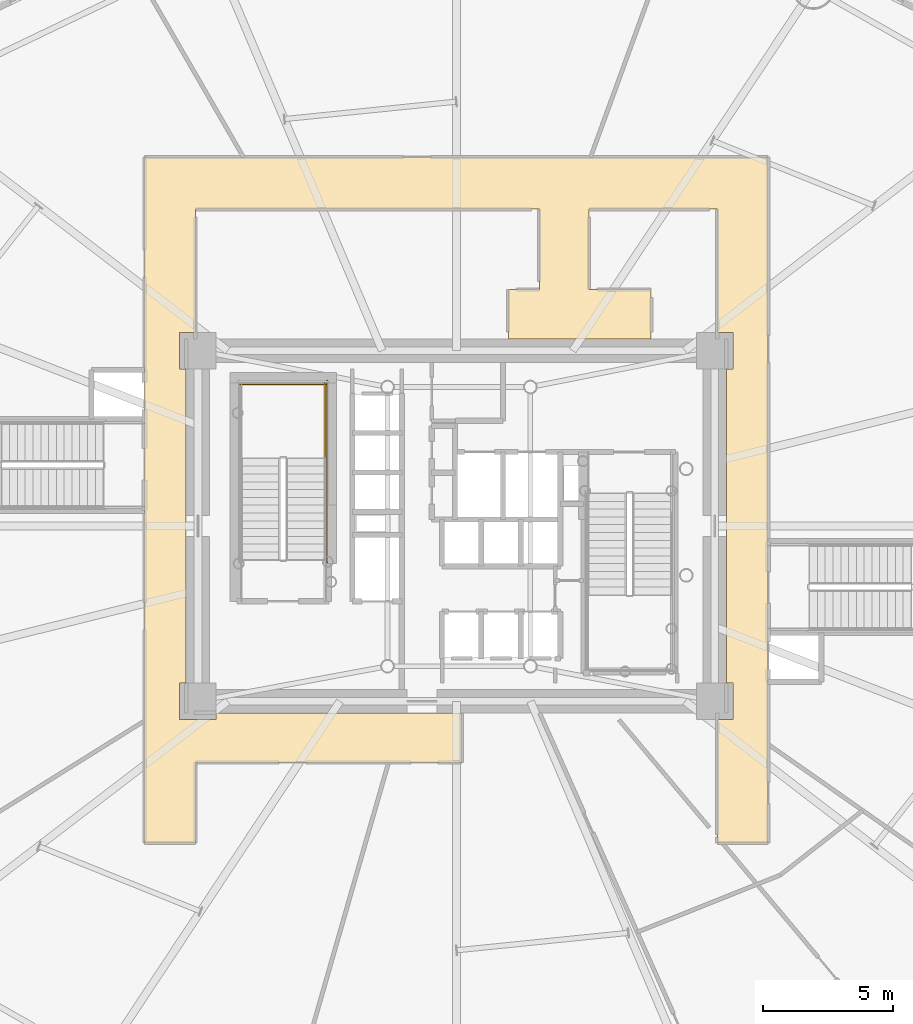
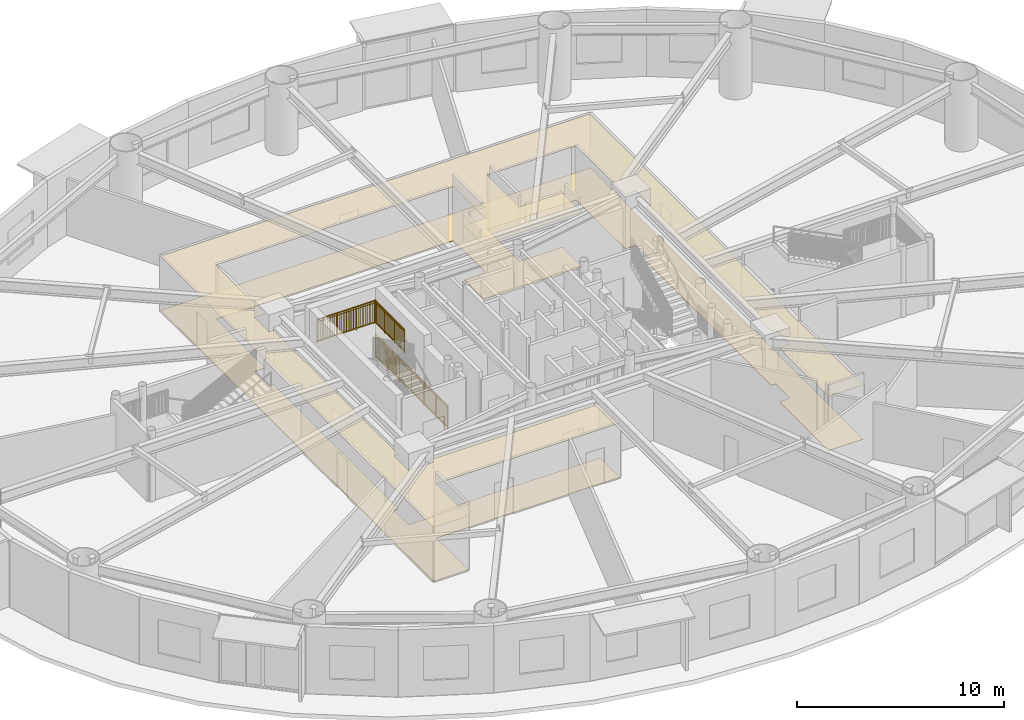
# One storey, part 29 of 35: 3 railings, 2 coverings.
"""IFC4 building model written with IfcOpenShell, lengths in metres."""

from ifc_helpers import new_model, si_unit, direction, frame, origin, origin_2d, place, context, subcontext, project, spatial, polyline, rectangle, outline, extrude, source, transform, mapped, material, layer, layer_set, type_object, element, save


model = new_model("IFC4")

# Units and contexts
model_context = context("Model", 3, precision=1e-05, world=origin(), true_north=direction((0.0, 1.0)))
body_context = subcontext(model_context, "Body", "Model", "MODEL_VIEW")
ifc_project = project(units=[si_unit("LENGTHUNIT", "METRE"), si_unit("AREAUNIT", "SQUARE_METRE"), si_unit("VOLUMEUNIT", "CUBIC_METRE"), si_unit("PLANEANGLEUNIT", "RADIAN"), si_unit("MASSUNIT", "GRAM", prefix="KILO")], contexts=[model_context])

# Site, building, storey
site_placement = place(None, origin())
site = spatial("IfcSite", under=ifc_project, at=site_placement, CompositionType="ELEMENT")
building_placement = place(site_placement, origin())
building = spatial("IfcBuilding", under=site, at=building_placement, Name="Linh Dai School and Residence Tower", CompositionType="ELEMENT")
storey_placement = place(building_placement, frame((0.0, 0.0, 32.39990234375)))
storey = spatial("IfcBuildingStorey", under=building, at=storey_placement, Name="L07", CompositionType="ELEMENT", Elevation=32.39990234375)

# Coverings
ifc_material_1 = material(Name="Mineral Fibre Acoustic Suspended Ceiling", Category="masonry")
ifc_layer_1 = layer(ifc_material_1, 0.02001953125)
ifc_layer_set_1 = layer_set([ifc_layer_1], Name="Mineral Fibre Acoustic Suspended Ceiling")
covering_type_1 = type_object("IfcCoveringType", Name="COV-CEIL-AC-20", PredefinedType="CEILING", material=ifc_layer_set_1)
covering_1_placement = place(storey_placement, frame((0.0, 0.0, 3.2001953125)))
element("IfcCovering", 1, at=covering_1_placement, inside=storey, type_object=covering_type_1, Name="L07 School Circulation Ring Corridor Suspended Ceiling", PredefinedType="CEILING", context=body_context, shape_type="SweptSolid", body=[
    extrude(outline(polyline([(24.0, 41.199951171875), (48.0, 41.199951171875), (48.0, 14.800048828125), (46.050048828125, 14.800048828125), (46.050048828125, 19.550048828125), (46.64990234375, 19.550048828125), (46.64990234375, 20.949951171875), (46.39990234375, 20.949951171875), (46.39990234375, 33.050048828125), (46.64990234375, 33.050048828125), (46.64990234375, 34.449951171875), (46.050048828125, 34.449951171875), (46.050048828125, 39.199951171875), (41.10009765625, 39.199951171875), (41.10009765625, 36.10009765625), (43.5, 36.10009765625), (43.5, 34.199951171875), (38.0, 34.199951171875), (38.0, 36.10009765625), (39.199951171875, 36.10009765625), (39.199951171875, 39.199951171875), (25.949951171875, 39.199951171875), (25.949951171875, 34.449951171875), (25.35009765625, 34.449951171875), (25.35009765625, 33.050048828125), (25.60009765625, 33.050048828125), (25.60009765625, 20.949951171875), (25.35009765625, 20.949951171875), (25.35009765625, 19.550048828125), (26.75, 19.550048828125), (26.75, 19.800048828125), (36.199951171875, 19.800048828125), (36.199951171875, 17.89990234375), (25.949951171875, 17.89990234375), (25.949951171875, 14.800048828125), (24.0, 14.800048828125), (24.0, 41.199951171875)])), origin(), (0.0, 0.0, 1.0), 0.02001953125),
])
ifc_material_2 = material(Name="Polished Terrazzo Floor Finish", Category="masonry")
ifc_layer_2 = layer(ifc_material_2, 0.02490234375)
ifc_layer_set_2 = layer_set([ifc_layer_2], Name="Polished Terrazzo Floor Finish")
covering_type_2 = type_object("IfcCoveringType", Name="COV-FLR-TRZ-25", PredefinedType="FLOORING", material=ifc_layer_set_2)
covering_2_placement = place(storey_placement, origin())
element("IfcCovering", 2, at=covering_2_placement, inside=storey, type_object=covering_type_2, Name="L07 School Circulation Ring Corridor Floor Finish", PredefinedType="FLOORING", context=body_context, shape_type="SweptSolid", body=[
    extrude(outline(polyline([(24.0, 41.199951171875), (48.0, 41.199951171875), (48.0, 14.800048828125), (46.050048828125, 14.800048828125), (46.050048828125, 19.550048828125), (46.64990234375, 19.550048828125), (46.64990234375, 20.949951171875), (46.39990234375, 20.949951171875), (46.39990234375, 33.050048828125), (46.64990234375, 33.050048828125), (46.64990234375, 34.449951171875), (46.050048828125, 34.449951171875), (46.050048828125, 39.199951171875), (41.10009765625, 39.199951171875), (41.10009765625, 36.10009765625), (43.5, 36.10009765625), (43.5, 34.199951171875), (38.0, 34.199951171875), (38.0, 36.10009765625), (39.199951171875, 36.10009765625), (39.199951171875, 39.199951171875), (25.949951171875, 39.199951171875), (25.949951171875, 34.449951171875), (25.35009765625, 34.449951171875), (25.35009765625, 33.050048828125), (25.60009765625, 33.050048828125), (25.60009765625, 20.949951171875), (25.35009765625, 20.949951171875), (25.35009765625, 19.550048828125), (26.75, 19.550048828125), (26.75, 19.800048828125), (36.199951171875, 19.800048828125), (36.199951171875, 17.89990234375), (25.949951171875, 17.89990234375), (25.949951171875, 14.800048828125), (24.0, 14.800048828125), (24.0, 41.199951171875)])), origin(), (0.0, 0.0, 1.0), 0.02001953125),
])

# Railings
ifc_material_3 = material(Name="Structural Steel S355JR", Category="steel")
railing_type = type_object("IfcRailingType", Name="RL-ST-GUARD-1400", PredefinedType="GUARDRAIL", material=ifc_material_3)
shared_shape_1 = source(origin(), body_context, "Body", "SweptSolid", [
    extrude(rectangle(XDim=0.048095703125, YDim=0.048095703125, at=origin_2d()), frame((0.0, 0.0, 1.3759765625), z_axis=(-1.0, 0.0, 0.0), x_axis=(0.0, -1.0, 0.0)), (0.0, 0.0, 1.0), 3.300048828125),
    extrude(rectangle(XDim=0.048095703125, YDim=0.048095703125, at=origin_2d()), frame((0.0, 0.0, 0.10009765625), z_axis=(-1.0, 0.0, 0.0), x_axis=(0.0, -1.0, 0.0)), (0.0, 0.0, 1.0), 3.300048828125),
    extrude(rectangle(XDim=0.030029296875, YDim=0.030029296875, at=origin_2d()), frame((0.0, 0.0, 1.239990234375), z_axis=(-1.0, 0.0, 0.0), x_axis=(0.0, -1.0, 0.0)), (0.0, 0.0, 1.0), 3.300048828125),
    extrude(rectangle(XDim=0.02001953125, YDim=0.02001953125, at=origin_2d()), frame((-0.09716796875, 0.0, 0.10009765625)), (0.0, 0.0, 1.0), 1.251708984375),
    extrude(rectangle(XDim=0.02001953125, YDim=0.02001953125, at=origin_2d()), frame((-0.194091796875, 0.0, 0.10009765625)), (0.0, 0.0, 1.0), 1.251708984375),
    extrude(rectangle(XDim=0.02001953125, YDim=0.02001953125, at=origin_2d()), frame((-0.291259765625, 0.0, 0.10009765625)), (0.0, 0.0, 1.0), 1.251708984375),
    extrude(rectangle(XDim=0.02001953125, YDim=0.02001953125, at=origin_2d()), frame((-0.38818359375, 0.0, 0.10009765625)), (0.0, 0.0, 1.0), 1.251708984375),
    extrude(rectangle(XDim=0.02001953125, YDim=0.02001953125, at=origin_2d()), frame((-0.4853515625, 0.0, 0.10009765625)), (0.0, 0.0, 1.0), 1.251708984375),
    extrude(rectangle(XDim=0.02001953125, YDim=0.02001953125, at=origin_2d()), frame((-0.582275390625, 0.0, 0.10009765625)), (0.0, 0.0, 1.0), 1.251708984375),
    extrude(rectangle(XDim=0.02001953125, YDim=0.02001953125, at=origin_2d()), frame((-0.679443359375, 0.0, 0.10009765625)), (0.0, 0.0, 1.0), 1.251708984375),
    extrude(rectangle(XDim=0.02001953125, YDim=0.02001953125, at=origin_2d()), frame((-0.7763671875, 0.0, 0.10009765625)), (0.0, 0.0, 1.0), 1.251708984375),
    extrude(rectangle(XDim=0.02001953125, YDim=0.02001953125, at=origin_2d()), frame((-0.87353515625, 0.0, 0.10009765625)), (0.0, 0.0, 1.0), 1.251708984375),
    extrude(rectangle(XDim=0.02001953125, YDim=0.02001953125, at=origin_2d()), frame((-0.970703125, 0.0, 0.10009765625)), (0.0, 0.0, 1.0), 1.251708984375),
    extrude(rectangle(XDim=0.02001953125, YDim=0.02001953125, at=origin_2d()), frame((-1.164794921875, 0.0, 0.10009765625)), (0.0, 0.0, 1.0), 1.251708984375),
    extrude(rectangle(XDim=0.02001953125, YDim=0.02001953125, at=origin_2d()), frame((-1.26171875, 0.0, 0.10009765625)), (0.0, 0.0, 1.0), 1.251708984375),
    extrude(rectangle(XDim=0.02001953125, YDim=0.02001953125, at=origin_2d()), frame((-1.35888671875, 0.0, 0.10009765625)), (0.0, 0.0, 1.0), 1.251708984375),
    extrude(rectangle(XDim=0.02001953125, YDim=0.02001953125, at=origin_2d()), frame((-1.455810546875, 0.0, 0.10009765625)), (0.0, 0.0, 1.0), 1.251708984375),
    extrude(rectangle(XDim=0.02001953125, YDim=0.02001953125, at=origin_2d()), frame((-1.552978515625, 0.0, 0.10009765625)), (0.0, 0.0, 1.0), 1.251708984375),
    extrude(rectangle(XDim=0.02001953125, YDim=0.02001953125, at=origin_2d()), frame((-1.64990234375, 0.0, 0.10009765625)), (0.0, 0.0, 1.0), 1.251708984375),
    extrude(rectangle(XDim=0.02001953125, YDim=0.02001953125, at=origin_2d()), frame((-1.7470703125, 0.0, 0.10009765625)), (0.0, 0.0, 1.0), 1.251708984375),
    extrude(rectangle(XDim=0.02001953125, YDim=0.02001953125, at=origin_2d()), frame((-1.84423828125, 0.0, 0.10009765625)), (0.0, 0.0, 1.0), 1.251708984375),
    extrude(rectangle(XDim=0.02001953125, YDim=0.02001953125, at=origin_2d()), frame((-1.941162109375, 0.0, 0.10009765625)), (0.0, 0.0, 1.0), 1.251708984375),
    extrude(rectangle(XDim=0.02001953125, YDim=0.02001953125, at=origin_2d()), frame((-2.038330078125, 0.0, 0.10009765625)), (0.0, 0.0, 1.0), 1.251708984375),
    extrude(rectangle(XDim=0.02001953125, YDim=0.02001953125, at=origin_2d()), frame((-2.13525390625, 0.0, 0.10009765625)), (0.0, 0.0, 1.0), 1.251708984375),
    extrude(rectangle(XDim=0.02001953125, YDim=0.02001953125, at=origin_2d()), frame((-2.329345703125, 0.0, 0.10009765625)), (0.0, 0.0, 1.0), 1.251708984375),
    extrude(rectangle(XDim=0.02001953125, YDim=0.02001953125, at=origin_2d()), frame((-2.426513671875, 0.0, 0.10009765625)), (0.0, 0.0, 1.0), 1.251708984375),
    extrude(rectangle(XDim=0.02001953125, YDim=0.02001953125, at=origin_2d()), frame((-2.523681640625, 0.0, 0.10009765625)), (0.0, 0.0, 1.0), 1.251708984375),
    extrude(rectangle(XDim=0.02001953125, YDim=0.02001953125, at=origin_2d()), frame((-2.62060546875, 0.0, 0.10009765625)), (0.0, 0.0, 1.0), 1.251708984375),
    extrude(rectangle(XDim=0.02001953125, YDim=0.02001953125, at=origin_2d()), frame((-2.7177734375, 0.0, 0.10009765625)), (0.0, 0.0, 1.0), 1.251708984375),
    extrude(rectangle(XDim=0.02001953125, YDim=0.02001953125, at=origin_2d()), frame((-2.814697265625, 0.0, 0.10009765625)), (0.0, 0.0, 1.0), 1.251708984375),
    extrude(rectangle(XDim=0.02001953125, YDim=0.02001953125, at=origin_2d()), frame((-2.911865234375, 0.0, 0.10009765625)), (0.0, 0.0, 1.0), 1.251708984375),
    extrude(rectangle(XDim=0.02001953125, YDim=0.02001953125, at=origin_2d()), frame((-3.0087890625, 0.0, 0.10009765625)), (0.0, 0.0, 1.0), 1.251708984375),
    extrude(rectangle(XDim=0.02001953125, YDim=0.02001953125, at=origin_2d()), frame((-3.10595703125, 0.0, 0.10009765625)), (0.0, 0.0, 1.0), 1.251708984375),
    extrude(rectangle(XDim=0.02001953125, YDim=0.02001953125, at=origin_2d()), frame((-3.202880859375, 0.0, 0.10009765625)), (0.0, 0.0, 1.0), 1.251708984375),
    extrude(rectangle(XDim=0.0419921875, YDim=0.0419921875, at=origin_2d()), origin(), (0.0, 0.0, 1.0), 1.3759765625),
    extrude(rectangle(XDim=0.0419921875, YDim=0.0419921875, at=origin_2d()), frame((-1.10009765625, 0.0, 0.0)), (0.0, 0.0, 1.0), 1.3759765625),
    extrude(rectangle(XDim=0.0419921875, YDim=0.0419921875, at=origin_2d()), frame((-2.199951171875, 0.0, 0.0)), (0.0, 0.0, 1.0), 1.3759765625),
    extrude(rectangle(XDim=0.0419921875, YDim=0.0419921875, at=origin_2d()), frame((-3.300048828125, 0.0, 0.0)), (0.0, 0.0, 1.0), 1.3759765625),
])
railing_1_placement = place(storey_placement, frame((30.97998046875, 32.449951171875, 2.10009765625)))
element("IfcRailing", 3, at=railing_1_placement, inside=storey, type_object=railing_type, Name="L07 ST1 stair guard 5", PredefinedType="GUARDRAIL", context=body_context, shape_type="MappedRepresentation", body=[
    mapped(shared_shape_1, transform((0.0, 0.0, 0.0), x_axis=(1.0, 0.0, 0.0), y_axis=(0.0, 1.0, 0.0), z_axis=(0.0, 0.0, 1.0), scale=1.0)),
])
shared_shape_2 = source(origin(), body_context, "Body", "SweptSolid", [
    extrude(rectangle(XDim=0.048095703125, YDim=0.048095703125, at=origin_2d()), frame((0.0, 0.0, 1.3759765625), z_axis=(0.0, 1.0, 0.0), x_axis=(-1.0, 0.0, 0.0)), (0.0, 0.0, 1.0), 7.0),
    extrude(rectangle(XDim=0.048095703125, YDim=0.048095703125, at=origin_2d()), frame((0.0, 0.0, 0.10009765625), z_axis=(0.0, 1.0, 0.0), x_axis=(-1.0, 0.0, 0.0)), (0.0, 0.0, 1.0), 7.0),
    extrude(rectangle(XDim=0.030029296875, YDim=0.030029296875, at=origin_2d()), frame((0.0, 0.0, 1.239990234375), z_axis=(0.0, 1.0, 0.0), x_axis=(-1.0, 0.0, 0.0)), (0.0, 0.0, 1.0), 7.0),
    extrude(rectangle(XDim=0.02001953125, YDim=0.02001953125, at=origin_2d()), frame((0.0, 0.09716796875, 0.10009765625)), (0.0, 0.0, 1.0), 1.251708984375),
    extrude(rectangle(XDim=0.02001953125, YDim=0.02001953125, at=origin_2d()), frame((0.0, 0.1943359375, 0.10009765625)), (0.0, 0.0, 1.0), 1.251708984375),
    extrude(rectangle(XDim=0.02001953125, YDim=0.02001953125, at=origin_2d()), frame((0.0, 0.291748046875, 0.10009765625)), (0.0, 0.0, 1.0), 1.251708984375),
    extrude(rectangle(XDim=0.02001953125, YDim=0.02001953125, at=origin_2d()), frame((0.0, 0.388916015625, 0.10009765625)), (0.0, 0.0, 1.0), 1.251708984375),
    extrude(rectangle(XDim=0.02001953125, YDim=0.02001953125, at=origin_2d()), frame((0.0, 0.486083984375, 0.10009765625)), (0.0, 0.0, 1.0), 1.251708984375),
    extrude(rectangle(XDim=0.02001953125, YDim=0.02001953125, at=origin_2d()), frame((0.0, 0.583251953125, 0.10009765625)), (0.0, 0.0, 1.0), 1.251708984375),
    extrude(rectangle(XDim=0.02001953125, YDim=0.02001953125, at=origin_2d()), frame((0.0, 0.6806640625, 0.10009765625)), (0.0, 0.0, 1.0), 1.251708984375),
    extrude(rectangle(XDim=0.02001953125, YDim=0.02001953125, at=origin_2d()), frame((0.0, 0.77783203125, 0.10009765625)), (0.0, 0.0, 1.0), 1.251708984375),
    extrude(rectangle(XDim=0.02001953125, YDim=0.02001953125, at=origin_2d()), frame((0.0, 0.875, 0.10009765625)), (0.0, 0.0, 1.0), 1.251708984375),
    extrude(rectangle(XDim=0.02001953125, YDim=0.02001953125, at=origin_2d()), frame((0.0, 0.97216796875, 0.10009765625)), (0.0, 0.0, 1.0), 1.251708984375),
    extrude(rectangle(XDim=0.02001953125, YDim=0.02001953125, at=origin_2d()), frame((0.0, 1.0693359375, 0.10009765625)), (0.0, 0.0, 1.0), 1.251708984375),
    extrude(rectangle(XDim=0.02001953125, YDim=0.02001953125, at=origin_2d()), frame((0.0, 1.263916015625, 0.10009765625)), (0.0, 0.0, 1.0), 1.251708984375),
    extrude(rectangle(XDim=0.02001953125, YDim=0.02001953125, at=origin_2d()), frame((0.0, 1.361083984375, 0.10009765625)), (0.0, 0.0, 1.0), 1.251708984375),
    extrude(rectangle(XDim=0.02001953125, YDim=0.02001953125, at=origin_2d()), frame((0.0, 1.458251953125, 0.10009765625)), (0.0, 0.0, 1.0), 1.251708984375),
    extrude(rectangle(XDim=0.02001953125, YDim=0.02001953125, at=origin_2d()), frame((0.0, 1.5556640625, 0.10009765625)), (0.0, 0.0, 1.0), 1.251708984375),
    extrude(rectangle(XDim=0.02001953125, YDim=0.02001953125, at=origin_2d()), frame((0.0, 1.65283203125, 0.10009765625)), (0.0, 0.0, 1.0), 1.251708984375),
    extrude(rectangle(XDim=0.02001953125, YDim=0.02001953125, at=origin_2d()), frame((0.0, 1.75, 0.10009765625)), (0.0, 0.0, 1.0), 1.251708984375),
    extrude(rectangle(XDim=0.02001953125, YDim=0.02001953125, at=origin_2d()), frame((0.0, 1.84716796875, 0.10009765625)), (0.0, 0.0, 1.0), 1.251708984375),
    extrude(rectangle(XDim=0.02001953125, YDim=0.02001953125, at=origin_2d()), frame((0.0, 1.9443359375, 0.10009765625)), (0.0, 0.0, 1.0), 1.251708984375),
    extrude(rectangle(XDim=0.02001953125, YDim=0.02001953125, at=origin_2d()), frame((0.0, 2.041748046875, 0.10009765625)), (0.0, 0.0, 1.0), 1.251708984375),
    extrude(rectangle(XDim=0.02001953125, YDim=0.02001953125, at=origin_2d()), frame((0.0, 2.138916015625, 0.10009765625)), (0.0, 0.0, 1.0), 1.251708984375),
    extrude(rectangle(XDim=0.02001953125, YDim=0.02001953125, at=origin_2d()), frame((0.0, 2.236083984375, 0.10009765625)), (0.0, 0.0, 1.0), 1.251708984375),
    extrude(rectangle(XDim=0.02001953125, YDim=0.02001953125, at=origin_2d()), frame((0.0, 2.4306640625, 0.10009765625)), (0.0, 0.0, 1.0), 1.251708984375),
    extrude(rectangle(XDim=0.02001953125, YDim=0.02001953125, at=origin_2d()), frame((0.0, 2.52783203125, 0.10009765625)), (0.0, 0.0, 1.0), 1.251708984375),
    extrude(rectangle(XDim=0.02001953125, YDim=0.02001953125, at=origin_2d()), frame((0.0, 2.625, 0.10009765625)), (0.0, 0.0, 1.0), 1.251708984375),
    extrude(rectangle(XDim=0.02001953125, YDim=0.02001953125, at=origin_2d()), frame((0.0, 2.72216796875, 0.10009765625)), (0.0, 0.0, 1.0), 1.251708984375),
    extrude(rectangle(XDim=0.02001953125, YDim=0.02001953125, at=origin_2d()), frame((0.0, 2.8193359375, 0.10009765625)), (0.0, 0.0, 1.0), 1.251708984375),
    extrude(rectangle(XDim=0.02001953125, YDim=0.02001953125, at=origin_2d()), frame((0.0, 2.916748046875, 0.10009765625)), (0.0, 0.0, 1.0), 1.251708984375),
    extrude(rectangle(XDim=0.02001953125, YDim=0.02001953125, at=origin_2d()), frame((0.0, 3.013916015625, 0.10009765625)), (0.0, 0.0, 1.0), 1.251708984375),
    extrude(rectangle(XDim=0.02001953125, YDim=0.02001953125, at=origin_2d()), frame((0.0, 3.111083984375, 0.10009765625)), (0.0, 0.0, 1.0), 1.251708984375),
    extrude(rectangle(XDim=0.02001953125, YDim=0.02001953125, at=origin_2d()), frame((0.0, 3.208251953125, 0.10009765625)), (0.0, 0.0, 1.0), 1.251708984375),
    extrude(rectangle(XDim=0.02001953125, YDim=0.02001953125, at=origin_2d()), frame((0.0, 3.3056640625, 0.10009765625)), (0.0, 0.0, 1.0), 1.251708984375),
    extrude(rectangle(XDim=0.02001953125, YDim=0.02001953125, at=origin_2d()), frame((0.0, 3.40283203125, 0.10009765625)), (0.0, 0.0, 1.0), 1.251708984375),
    extrude(rectangle(XDim=0.02001953125, YDim=0.02001953125, at=origin_2d()), frame((0.0, 3.59716796875, 0.10009765625)), (0.0, 0.0, 1.0), 1.251708984375),
    extrude(rectangle(XDim=0.02001953125, YDim=0.02001953125, at=origin_2d()), frame((0.0, 3.6943359375, 0.10009765625)), (0.0, 0.0, 1.0), 1.251708984375),
    extrude(rectangle(XDim=0.02001953125, YDim=0.02001953125, at=origin_2d()), frame((0.0, 3.791748046875, 0.10009765625)), (0.0, 0.0, 1.0), 1.251708984375),
    extrude(rectangle(XDim=0.02001953125, YDim=0.02001953125, at=origin_2d()), frame((0.0, 3.888916015625, 0.10009765625)), (0.0, 0.0, 1.0), 1.251708984375),
    extrude(rectangle(XDim=0.02001953125, YDim=0.02001953125, at=origin_2d()), frame((0.0, 3.986083984375, 0.10009765625)), (0.0, 0.0, 1.0), 1.251708984375),
    extrude(rectangle(XDim=0.02001953125, YDim=0.02001953125, at=origin_2d()), frame((0.0, 4.083251953125, 0.10009765625)), (0.0, 0.0, 1.0), 1.251708984375),
    extrude(rectangle(XDim=0.02001953125, YDim=0.02001953125, at=origin_2d()), frame((0.0, 4.1806640625, 0.10009765625)), (0.0, 0.0, 1.0), 1.251708984375),
    extrude(rectangle(XDim=0.02001953125, YDim=0.02001953125, at=origin_2d()), frame((0.0, 4.27783203125, 0.10009765625)), (0.0, 0.0, 1.0), 1.251708984375),
    extrude(rectangle(XDim=0.02001953125, YDim=0.02001953125, at=origin_2d()), frame((0.0, 4.375, 0.10009765625)), (0.0, 0.0, 1.0), 1.251708984375),
    extrude(rectangle(XDim=0.02001953125, YDim=0.02001953125, at=origin_2d()), frame((0.0, 4.47216796875, 0.10009765625)), (0.0, 0.0, 1.0), 1.251708984375),
    extrude(rectangle(XDim=0.02001953125, YDim=0.02001953125, at=origin_2d()), frame((0.0, 4.5693359375, 0.10009765625)), (0.0, 0.0, 1.0), 1.251708984375),
    extrude(rectangle(XDim=0.02001953125, YDim=0.02001953125, at=origin_2d()), frame((0.0, 4.763916015625, 0.10009765625)), (0.0, 0.0, 1.0), 1.251708984375),
    extrude(rectangle(XDim=0.02001953125, YDim=0.02001953125, at=origin_2d()), frame((0.0, 4.861083984375, 0.10009765625)), (0.0, 0.0, 1.0), 1.251708984375),
    extrude(rectangle(XDim=0.02001953125, YDim=0.02001953125, at=origin_2d()), frame((0.0, 4.958251953125, 0.10009765625)), (0.0, 0.0, 1.0), 1.251708984375),
    extrude(rectangle(XDim=0.02001953125, YDim=0.02001953125, at=origin_2d()), frame((0.0, 5.0556640625, 0.10009765625)), (0.0, 0.0, 1.0), 1.251708984375),
    extrude(rectangle(XDim=0.02001953125, YDim=0.02001953125, at=origin_2d()), frame((0.0, 5.15283203125, 0.10009765625)), (0.0, 0.0, 1.0), 1.251708984375),
    extrude(rectangle(XDim=0.02001953125, YDim=0.02001953125, at=origin_2d()), frame((0.0, 5.25, 0.10009765625)), (0.0, 0.0, 1.0), 1.251708984375),
    extrude(rectangle(XDim=0.02001953125, YDim=0.02001953125, at=origin_2d()), frame((0.0, 5.34716796875, 0.10009765625)), (0.0, 0.0, 1.0), 1.251708984375),
    extrude(rectangle(XDim=0.02001953125, YDim=0.02001953125, at=origin_2d()), frame((0.0, 5.4443359375, 0.10009765625)), (0.0, 0.0, 1.0), 1.251708984375),
    extrude(rectangle(XDim=0.02001953125, YDim=0.02001953125, at=origin_2d()), frame((0.0, 5.541748046875, 0.10009765625)), (0.0, 0.0, 1.0), 1.251708984375),
    extrude(rectangle(XDim=0.02001953125, YDim=0.02001953125, at=origin_2d()), frame((0.0, 5.638916015625, 0.10009765625)), (0.0, 0.0, 1.0), 1.251708984375),
    extrude(rectangle(XDim=0.02001953125, YDim=0.02001953125, at=origin_2d()), frame((0.0, 5.736083984375, 0.10009765625)), (0.0, 0.0, 1.0), 1.251708984375),
    extrude(rectangle(XDim=0.02001953125, YDim=0.02001953125, at=origin_2d()), frame((0.0, 5.9306640625, 0.10009765625)), (0.0, 0.0, 1.0), 1.251708984375),
    extrude(rectangle(XDim=0.02001953125, YDim=0.02001953125, at=origin_2d()), frame((0.0, 6.02783203125, 0.10009765625)), (0.0, 0.0, 1.0), 1.251708984375),
    extrude(rectangle(XDim=0.02001953125, YDim=0.02001953125, at=origin_2d()), frame((0.0, 6.125, 0.10009765625)), (0.0, 0.0, 1.0), 1.251708984375),
    extrude(rectangle(XDim=0.02001953125, YDim=0.02001953125, at=origin_2d()), frame((0.0, 6.22216796875, 0.10009765625)), (0.0, 0.0, 1.0), 1.251708984375),
    extrude(rectangle(XDim=0.02001953125, YDim=0.02001953125, at=origin_2d()), frame((0.0, 6.3193359375, 0.10009765625)), (0.0, 0.0, 1.0), 1.251708984375),
    extrude(rectangle(XDim=0.02001953125, YDim=0.02001953125, at=origin_2d()), frame((0.0, 6.416748046875, 0.10009765625)), (0.0, 0.0, 1.0), 1.251708984375),
    extrude(rectangle(XDim=0.02001953125, YDim=0.02001953125, at=origin_2d()), frame((0.0, 6.513916015625, 0.10009765625)), (0.0, 0.0, 1.0), 1.251708984375),
    extrude(rectangle(XDim=0.02001953125, YDim=0.02001953125, at=origin_2d()), frame((0.0, 6.611083984375, 0.10009765625)), (0.0, 0.0, 1.0), 1.251708984375),
    extrude(rectangle(XDim=0.02001953125, YDim=0.02001953125, at=origin_2d()), frame((0.0, 6.708251953125, 0.10009765625)), (0.0, 0.0, 1.0), 1.251708984375),
    extrude(rectangle(XDim=0.02001953125, YDim=0.02001953125, at=origin_2d()), frame((0.0, 6.8056640625, 0.10009765625)), (0.0, 0.0, 1.0), 1.251708984375),
    extrude(rectangle(XDim=0.02001953125, YDim=0.02001953125, at=origin_2d()), frame((0.0, 6.90283203125, 0.10009765625)), (0.0, 0.0, 1.0), 1.251708984375),
    extrude(rectangle(XDim=0.0419921875, YDim=0.0419921875, at=origin_2d()), origin(), (0.0, 0.0, 1.0), 1.3759765625),
    extrude(rectangle(XDim=0.0419921875, YDim=0.0419921875, at=origin_2d()), frame((0.0, 1.166748046875, 0.0)), (0.0, 0.0, 1.0), 1.3759765625),
    extrude(rectangle(XDim=0.0419921875, YDim=0.0419921875, at=origin_2d()), frame((0.0, 2.333251953125, 0.0)), (0.0, 0.0, 1.0), 1.3759765625),
    extrude(rectangle(XDim=0.0419921875, YDim=0.0419921875, at=origin_2d()), frame((0.0, 3.5, 0.0)), (0.0, 0.0, 1.0), 1.3759765625),
    extrude(rectangle(XDim=0.0419921875, YDim=0.0419921875, at=origin_2d()), frame((0.0, 4.666748046875, 0.0)), (0.0, 0.0, 1.0), 1.3759765625),
    extrude(rectangle(XDim=0.0419921875, YDim=0.0419921875, at=origin_2d()), frame((0.0, 5.833251953125, 0.0)), (0.0, 0.0, 1.0), 1.3759765625),
    extrude(rectangle(XDim=0.0419921875, YDim=0.0419921875, at=origin_2d()), frame((0.0, 7.0, 0.0)), (0.0, 0.0, 1.0), 1.3759765625),
])
railing_2_placement = place(storey_placement, frame((31.030029296875, 25.60009765625, 0.0)))
element("IfcRailing", 4, at=railing_2_placement, inside=storey, type_object=railing_type, Name="L07 ST1 stair guard 10", PredefinedType="GUARDRAIL", context=body_context, shape_type="MappedRepresentation", body=[
    mapped(shared_shape_2, transform((0.0, 0.0, 0.0), x_axis=(1.0, 0.0, 0.0), y_axis=(0.0, 1.0, 0.0), z_axis=(0.0, 0.0, 1.0), scale=1.0)),
])
shared_shape_3 = source(origin(), body_context, "Body", "SweptSolid", [
    extrude(rectangle(XDim=0.048095703125, YDim=0.048095703125, at=origin_2d()), frame((0.0, 0.0, 1.3759765625), z_axis=(0.0, 1.0, 0.0), x_axis=(-1.0, 0.0, 0.0)), (0.0, 0.0, 1.0), 2.89990234375),
    extrude(rectangle(XDim=0.048095703125, YDim=0.048095703125, at=origin_2d()), frame((0.0, 0.0, 0.10009765625), z_axis=(0.0, 1.0, 0.0), x_axis=(-1.0, 0.0, 0.0)), (0.0, 0.0, 1.0), 2.89990234375),
    extrude(rectangle(XDim=0.030029296875, YDim=0.030029296875, at=origin_2d()), frame((0.0, 0.0, 1.239990234375), z_axis=(0.0, 1.0, 0.0), x_axis=(-1.0, 0.0, 0.0)), (0.0, 0.0, 1.0), 2.89990234375),
    extrude(rectangle(XDim=0.02001953125, YDim=0.02001953125, at=origin_2d()), frame((0.0, 0.0966796875, 0.10009765625)), (0.0, 0.0, 1.0), 1.251708984375),
    extrude(rectangle(XDim=0.02001953125, YDim=0.02001953125, at=origin_2d()), frame((0.0, 0.193359375, 0.10009765625)), (0.0, 0.0, 1.0), 1.251708984375),
    extrude(rectangle(XDim=0.02001953125, YDim=0.02001953125, at=origin_2d()), frame((0.0, 0.2900390625, 0.10009765625)), (0.0, 0.0, 1.0), 1.251708984375),
    extrude(rectangle(XDim=0.02001953125, YDim=0.02001953125, at=origin_2d()), frame((0.0, 0.38671875, 0.10009765625)), (0.0, 0.0, 1.0), 1.251708984375),
    extrude(rectangle(XDim=0.02001953125, YDim=0.02001953125, at=origin_2d()), frame((0.0, 0.4833984375, 0.10009765625)), (0.0, 0.0, 1.0), 1.251708984375),
    extrude(rectangle(XDim=0.02001953125, YDim=0.02001953125, at=origin_2d()), frame((0.0, 0.580078125, 0.10009765625)), (0.0, 0.0, 1.0), 1.251708984375),
    extrude(rectangle(XDim=0.02001953125, YDim=0.02001953125, at=origin_2d()), frame((0.0, 0.6767578125, 0.10009765625)), (0.0, 0.0, 1.0), 1.251708984375),
    extrude(rectangle(XDim=0.02001953125, YDim=0.02001953125, at=origin_2d()), frame((0.0, 0.773193359375, 0.10009765625)), (0.0, 0.0, 1.0), 1.251708984375),
    extrude(rectangle(XDim=0.02001953125, YDim=0.02001953125, at=origin_2d()), frame((0.0, 0.869873046875, 0.10009765625)), (0.0, 0.0, 1.0), 1.251708984375),
    extrude(rectangle(XDim=0.02001953125, YDim=0.02001953125, at=origin_2d()), frame((0.0, 1.063232421875, 0.10009765625)), (0.0, 0.0, 1.0), 1.251708984375),
    extrude(rectangle(XDim=0.02001953125, YDim=0.02001953125, at=origin_2d()), frame((0.0, 1.159912109375, 0.10009765625)), (0.0, 0.0, 1.0), 1.251708984375),
    extrude(rectangle(XDim=0.02001953125, YDim=0.02001953125, at=origin_2d()), frame((0.0, 1.256591796875, 0.10009765625)), (0.0, 0.0, 1.0), 1.251708984375),
    extrude(rectangle(XDim=0.02001953125, YDim=0.02001953125, at=origin_2d()), frame((0.0, 1.353271484375, 0.10009765625)), (0.0, 0.0, 1.0), 1.251708984375),
    extrude(rectangle(XDim=0.02001953125, YDim=0.02001953125, at=origin_2d()), frame((0.0, 1.449951171875, 0.10009765625)), (0.0, 0.0, 1.0), 1.251708984375),
    extrude(rectangle(XDim=0.02001953125, YDim=0.02001953125, at=origin_2d()), frame((0.0, 1.546630859375, 0.10009765625)), (0.0, 0.0, 1.0), 1.251708984375),
    extrude(rectangle(XDim=0.02001953125, YDim=0.02001953125, at=origin_2d()), frame((0.0, 1.643310546875, 0.10009765625)), (0.0, 0.0, 1.0), 1.251708984375),
    extrude(rectangle(XDim=0.02001953125, YDim=0.02001953125, at=origin_2d()), frame((0.0, 1.739990234375, 0.10009765625)), (0.0, 0.0, 1.0), 1.251708984375),
    extrude(rectangle(XDim=0.02001953125, YDim=0.02001953125, at=origin_2d()), frame((0.0, 1.836669921875, 0.10009765625)), (0.0, 0.0, 1.0), 1.251708984375),
    extrude(rectangle(XDim=0.02001953125, YDim=0.02001953125, at=origin_2d()), frame((0.0, 2.030029296875, 0.10009765625)), (0.0, 0.0, 1.0), 1.251708984375),
    extrude(rectangle(XDim=0.02001953125, YDim=0.02001953125, at=origin_2d()), frame((0.0, 2.126708984375, 0.10009765625)), (0.0, 0.0, 1.0), 1.251708984375),
    extrude(rectangle(XDim=0.02001953125, YDim=0.02001953125, at=origin_2d()), frame((0.0, 2.22314453125, 0.10009765625)), (0.0, 0.0, 1.0), 1.251708984375),
    extrude(rectangle(XDim=0.02001953125, YDim=0.02001953125, at=origin_2d()), frame((0.0, 2.31982421875, 0.10009765625)), (0.0, 0.0, 1.0), 1.251708984375),
    extrude(rectangle(XDim=0.02001953125, YDim=0.02001953125, at=origin_2d()), frame((0.0, 2.41650390625, 0.10009765625)), (0.0, 0.0, 1.0), 1.251708984375),
    extrude(rectangle(XDim=0.02001953125, YDim=0.02001953125, at=origin_2d()), frame((0.0, 2.51318359375, 0.10009765625)), (0.0, 0.0, 1.0), 1.251708984375),
    extrude(rectangle(XDim=0.02001953125, YDim=0.02001953125, at=origin_2d()), frame((0.0, 2.60986328125, 0.10009765625)), (0.0, 0.0, 1.0), 1.251708984375),
    extrude(rectangle(XDim=0.02001953125, YDim=0.02001953125, at=origin_2d()), frame((0.0, 2.70654296875, 0.10009765625)), (0.0, 0.0, 1.0), 1.251708984375),
    extrude(rectangle(XDim=0.02001953125, YDim=0.02001953125, at=origin_2d()), frame((0.0, 2.80322265625, 0.10009765625)), (0.0, 0.0, 1.0), 1.251708984375),
    extrude(rectangle(XDim=0.0419921875, YDim=0.0419921875, at=origin_2d()), origin(), (0.0, 0.0, 1.0), 1.3759765625),
    extrude(rectangle(XDim=0.0419921875, YDim=0.0419921875, at=origin_2d()), frame((0.0, 0.966552734375, 0.0)), (0.0, 0.0, 1.0), 1.3759765625),
    extrude(rectangle(XDim=0.0419921875, YDim=0.0419921875, at=origin_2d()), frame((0.0, 1.933349609375, 0.0)), (0.0, 0.0, 1.0), 1.3759765625),
    extrude(rectangle(XDim=0.0419921875, YDim=0.0419921875, at=origin_2d()), frame((0.0, 2.89990234375, 0.0)), (0.0, 0.0, 1.0), 1.3759765625),
])
railing_3_placement = place(storey_placement, frame((30.929931640625, 29.60009765625, 2.10009765625)))
element("IfcRailing", 5, at=railing_3_placement, inside=storey, type_object=railing_type, Name="L07 ST1 stair guard 3", PredefinedType="GUARDRAIL", context=body_context, shape_type="MappedRepresentation", body=[
    mapped(shared_shape_3, transform((0.0, 0.0, 0.0), x_axis=(1.0, 0.0, 0.0), y_axis=(0.0, 1.0, 0.0), z_axis=(0.0, 0.0, 1.0), scale=1.0)),
])

save(model, "model.ifc")
